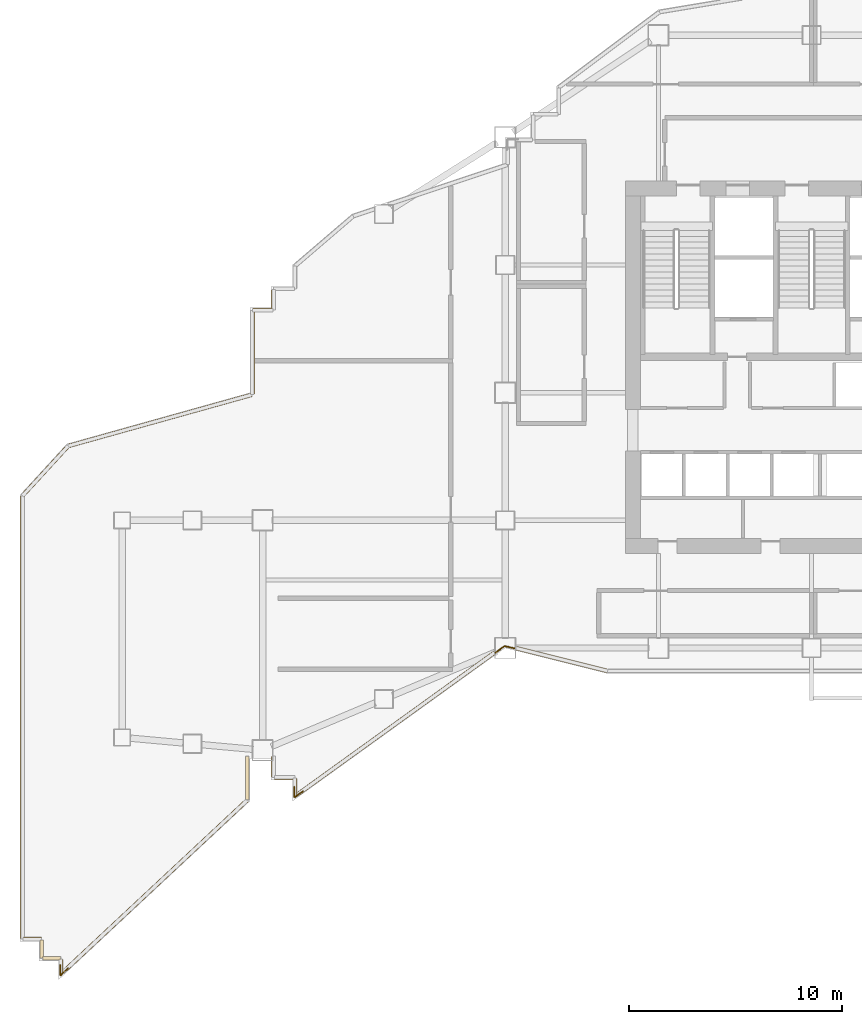
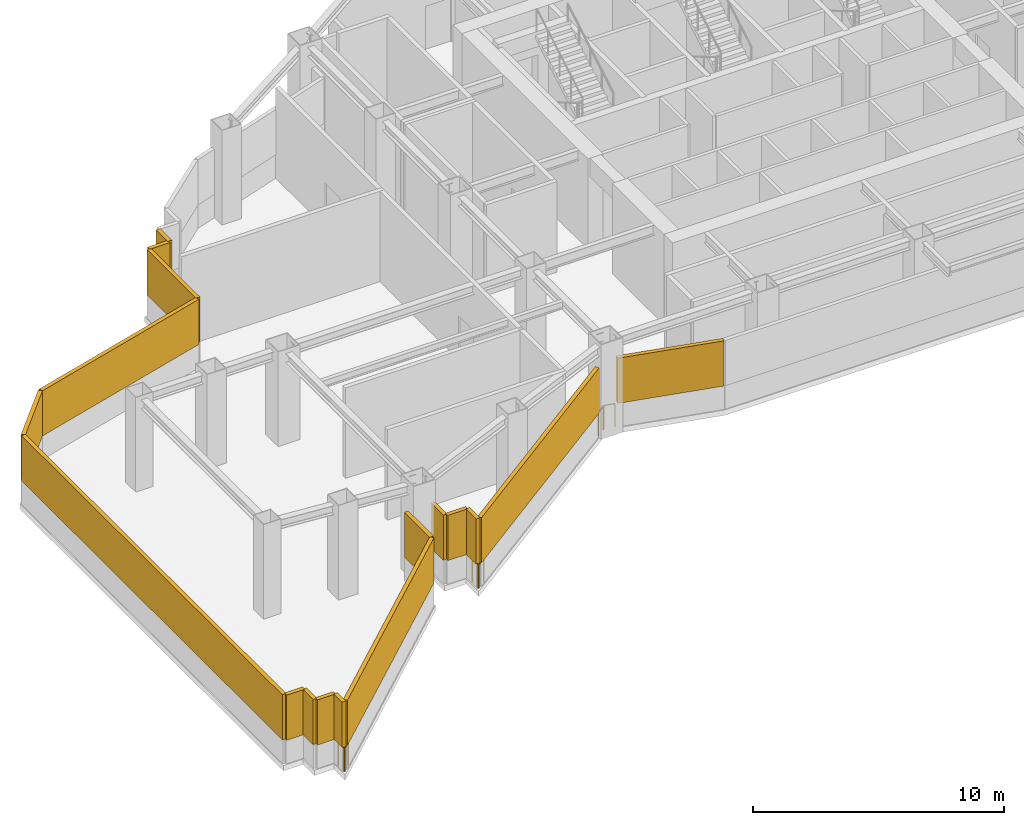
# One storey, part 6 of 12: 17 shading devices, 6 railings.
"""IFC4 building model written with IfcOpenShell, lengths in metres."""

from ifc_helpers import new_model, si_unit, direction, frame, origin, origin_2d, place, context, subcontext, project, spatial, rectangle, circle, extrude, material, type_object, element, save


model = new_model("IFC4")

# Units and contexts
model_context = context("Model", 3, precision=1e-05, world=origin(), true_north=direction((0.0, 1.0)))
body_context = subcontext(model_context, "Body", "Model", "MODEL_VIEW")
ifc_project = project(units=[si_unit("LENGTHUNIT", "METRE"), si_unit("AREAUNIT", "SQUARE_METRE"), si_unit("VOLUMEUNIT", "CUBIC_METRE"), si_unit("PLANEANGLEUNIT", "RADIAN"), si_unit("MASSUNIT", "GRAM", prefix="KILO")], contexts=[model_context])

# Site, building, storey
site_placement = place(None, origin())
site = spatial("IfcSite", under=ifc_project, at=site_placement, CompositionType="ELEMENT")
building_placement = place(site_placement, origin())
building = spatial("IfcBuilding", under=site, at=building_placement, Name="Haolan Belvedere Tower", CompositionType="ELEMENT")
storey_placement = place(building_placement, frame((0.0, 0.0, 136.39990234375)))
storey = spatial("IfcBuildingStorey", under=building, at=storey_placement, Name="L34", CompositionType="ELEMENT", Elevation=136.39990234375)

# Railings
ifc_material_1 = material(Name="Galvanised powder-coated steel guardrail", Category="steel")
railing_type = type_object("IfcRailingType", Name="RL-REF-GRD-1150", PredefinedType="GUARDRAIL", material=ifc_material_1)
railing_1_placement = place(storey_placement, frame((14.495849609375, 14.867919921875, 0.0)))
element("IfcRailing", 1, at=railing_1_placement, inside=storey, type_object=railing_type, Name="L34 refuge corner safety guardrail 1A", PredefinedType="GUARDRAIL", context=body_context, shape_type="SweptSolid", body=[
    extrude(circle(Radius=0.02392578125, at=origin_2d()), frame((0.0, 0.0, 1.1259765625), z_axis=(-0.811622975054, -0.584181603925, 0.0), x_axis=(0.584181603925, -0.811622975054, 0.0)), (0.0, 0.0, 1.0), 0.47021484375),
    extrude(circle(Radius=0.02099609375, at=origin_2d()), origin(), (0.0, 0.0, 1.0), 1.101806640625),
    extrude(circle(Radius=0.02099609375, at=origin_2d()), frame((-0.381591796875, -0.274658203125, 0.0)), (0.0, 0.0, 1.0), 1.101806640625),
])
railing_2_placement = place(storey_placement, frame((14.090087890625, 14.605712890625, 0.0)))
element("IfcRailing", 2, at=railing_2_placement, inside=storey, type_object=railing_type, Name="L34 refuge corner safety guardrail 1B", PredefinedType="GUARDRAIL", context=body_context, shape_type="SweptSolid", body=[
    extrude(circle(Radius=0.02392578125, at=origin_2d()), frame((0.0, 0.0, 1.1259765625), z_axis=(0.0, 1.0, 0.0), x_axis=(-1.0, 0.0, 0.0)), (0.0, 0.0, 1.0), 0.469970703125),
    extrude(circle(Radius=0.02099609375, at=origin_2d()), origin(), (0.0, 0.0, 1.0), 1.101806640625),
    extrude(circle(Radius=0.02099609375, at=origin_2d()), frame((0.0, 0.469970703125, 0.0)), (0.0, 0.0, 1.0), 1.101806640625),
])
railing_3_placement = place(storey_placement, frame((24.42578125, 21.586181640625, 0.0)))
element("IfcRailing", 3, at=railing_3_placement, inside=storey, type_object=railing_type, Name="L34 refuge corner safety guardrail 2A", PredefinedType="GUARDRAIL", context=body_context, shape_type="SweptSolid", body=[
    extrude(circle(Radius=0.02392578125, at=origin_2d()), frame((0.0, 0.0, 1.1259765625), z_axis=(-0.974532291101, 0.224247215372, 0.0), x_axis=(-0.224247215372, -0.974532291101, 0.0)), (0.0, 0.0, 1.0), 0.466064453125),
    extrude(circle(Radius=0.02099609375, at=origin_2d()), origin(), (0.0, 0.0, 1.0), 1.101806640625),
    extrude(circle(Radius=0.02099609375, at=origin_2d()), frame((-0.4541015625, 0.1044921875, 0.0)), (0.0, 0.0, 1.0), 1.101806640625),
])
railing_4_placement = place(storey_placement, frame((23.923095703125, 21.655517578125, 0.0)))
element("IfcRailing", 4, at=railing_4_placement, inside=storey, type_object=railing_type, Name="L34 refuge corner safety guardrail 2B", PredefinedType="GUARDRAIL", context=body_context, shape_type="SweptSolid", body=[
    extrude(circle(Radius=0.02392578125, at=origin_2d()), frame((0.0, 0.0, 1.1259765625), z_axis=(-0.811622975054, -0.584181603925, 0.0), x_axis=(0.584181603925, -0.811622975054, 0.0)), (0.0, 0.0, 1.0), 0.47021484375),
    extrude(circle(Radius=0.02099609375, at=origin_2d()), origin(), (0.0, 0.0, 1.0), 1.101806640625),
    extrude(circle(Radius=0.02099609375, at=origin_2d()), frame((-0.381591796875, -0.274658203125, 0.0)), (0.0, 0.0, 1.0), 1.101806640625),
])
railing_5_placement = place(storey_placement, frame((3.45556640625, 6.54833984375, 0.0)))
element("IfcRailing", 5, at=railing_5_placement, inside=storey, type_object=railing_type, Name="L34 refuge corner safety guardrail 8A", PredefinedType="GUARDRAIL", context=body_context, shape_type="SweptSolid", body=[
    extrude(circle(Radius=0.02392578125, at=origin_2d()), frame((0.0, 0.0, 1.1259765625), z_axis=(-0.731089801078, -0.682281249017, 0.0), x_axis=(0.682281249017, -0.731089801078, 0.0)), (0.0, 0.0, 1.0), 0.47021484375),
    extrude(circle(Radius=0.02099609375, at=origin_2d()), origin(), (0.0, 0.0, 1.0), 1.101806640625),
    extrude(circle(Radius=0.02099609375, at=origin_2d()), frame((-0.34375, -0.32080078125, 0.0)), (0.0, 0.0, 1.0), 1.101806640625),
])
railing_6_placement = place(storey_placement, frame((3.090087890625, 6.237060546875, 0.0)))
element("IfcRailing", 6, at=railing_6_placement, inside=storey, type_object=railing_type, Name="L34 refuge corner safety guardrail 8B", PredefinedType="GUARDRAIL", context=body_context, shape_type="SweptSolid", body=[
    extrude(circle(Radius=0.02392578125, at=origin_2d()), frame((0.0, 0.0, 1.1259765625), z_axis=(0.0, 1.0, 0.0), x_axis=(-1.0, 0.0, 0.0)), (0.0, 0.0, 1.0), 0.469970703125),
    extrude(circle(Radius=0.02099609375, at=origin_2d()), origin(), (0.0, 0.0, 1.0), 1.101806640625),
    extrude(circle(Radius=0.02099609375, at=origin_2d()), frame((0.0, 0.469970703125, 0.0)), (0.0, 0.0, 1.0), 1.101806640625),
])

# Shading devices
ifc_material_2 = material(Name="Anodised champagne-silver aluminium 6063-T6", Category="aluminium")
shading_device_type = type_object("IfcShadingDeviceType", Name="SHD-LOUV-180", PredefinedType="JALOUSIE", material=ifc_material_2)
shading_device_1_placement = place(storey_placement, frame((13.1201171875, 16.02001953125, 1.14990234375), z_axis=(0.0, 0.0, 1.0), x_axis=(0.0, -1.0, 0.0)))
element("IfcShadingDevice", 7, at=shading_device_1_placement, inside=storey, type_object=shading_device_type, Name="L34 refuge storm-proof louvre bank 2.1", PredefinedType="JALOUSIE", context=body_context, shape_type="SweptSolid", body=[
    extrude(rectangle(XDim=0.9599609375, YDim=0.179931640625, at=origin_2d()), origin(), (0.0, 0.0, 1.0), 2.199951171875),
])
shading_device_2_placement = place(storey_placement, frame((13.635009765625, 15.52001953125, 1.14990234375), z_axis=(0.0, 0.0, 1.0), x_axis=(1.0, 0.0, 0.0)))
element("IfcShadingDevice", 8, at=shading_device_2_placement, inside=storey, type_object=shading_device_type, Name="L34 refuge storm-proof louvre bank 3.1", PredefinedType="JALOUSIE", context=body_context, shape_type="SweptSolid", body=[
    extrude(rectangle(XDim=0.929931640625, YDim=0.179931640625, at=origin_2d()), origin(), (0.0, 0.0, 1.0), 2.199951171875),
])
shading_device_3_placement = place(storey_placement, frame((14.1201171875, 15.06201171875, 1.14990234375), z_axis=(0.0, 0.0, 1.0), x_axis=(0.0, -1.0, 0.0)))
element("IfcShadingDevice", 9, at=shading_device_3_placement, inside=storey, type_object=shading_device_type, Name="L34 refuge storm-proof louvre bank 4.1", PredefinedType="JALOUSIE", context=body_context, shape_type="SweptSolid", body=[
    extrude(rectangle(XDim=0.815673828125, YDim=0.179931640625, at=origin_2d()), origin(), (0.0, 0.0, 1.0), 2.199951171875),
])
shading_device_4_placement = place(storey_placement, frame((18.8505859375, 18.040283203125, 1.14990234375), z_axis=(0.0, 0.0, 1.0), x_axis=(0.811543389612, 0.584292158751, 0.0)))
element("IfcShadingDevice", 10, at=shading_device_4_placement, inside=storey, type_object=shading_device_type, Name="L34 refuge storm-proof louvre bank 5.1", PredefinedType="JALOUSIE", context=body_context, shape_type="SweptSolid", body=[
    extrude(rectangle(XDim=11.438232421875, YDim=0.179931640625, at=origin_2d()), origin(), (0.0, 0.0, 1.0), 2.199951171875),
])
shading_device_5_placement = place(storey_placement, frame((26.6533203125, 21.060302734375, 1.14990234375), z_axis=(0.0, 0.0, 1.0), x_axis=(0.970143530747, -0.242531502591, 0.0)))
element("IfcShadingDevice", 11, at=shading_device_5_placement, inside=storey, type_object=shading_device_type, Name="L34 refuge storm-proof louvre bank 6.1", PredefinedType="JALOUSIE", context=body_context, shape_type="SweptSolid", body=[
    extrude(rectangle(XDim=4.415771484375, YDim=0.179931640625, at=origin_2d()), origin(), (0.0, 0.0, 1.0), 2.199951171875),
])
for number, where, z_axis, x_axis, name in (
    (12, (13.1201171875, 37.965087890625, 1.14990234375), (0.0, 0.0, 1.0), (0.0, -1.0, 0.0), "L34 refuge storm-proof louvre bank 39.1"),
    (13, (12.60498046875, 37.47998046875, 1.14990234375), (0.0, 0.0, 1.0), (-1.0, 0.0, 0.0), "L34 refuge storm-proof louvre bank 40.1"),
):
    element("IfcShadingDevice", number, at=place(storey_placement, frame(where, z_axis=z_axis, x_axis=x_axis)), inside=storey, type_object=shading_device_type, Name=name, PredefinedType="JALOUSIE", context=body_context, shape_type="SweptSolid", body=[
        extrude(rectangle(XDim=0.929931640625, YDim=0.179931640625, at=origin_2d()), origin(), (0.0, 0.0, 1.0), 2.199951171875),
    ])
shading_device_6_placement = place(storey_placement, frame((12.1201171875, 35.4794921875, 1.14990234375), z_axis=(0.0, 0.0, 1.0), x_axis=(0.0, -1.0, 0.0)))
element("IfcShadingDevice", 14, at=shading_device_6_placement, inside=storey, type_object=shading_device_type, Name="L34 refuge storm-proof louvre bank 41.1", PredefinedType="JALOUSIE", context=body_context, shape_type="SweptSolid", body=[
    extrude(rectangle(XDim=3.901123046875, YDim=0.179931640625, at=origin_2d()), origin(), (0.0, 0.0, 1.0), 2.199951171875),
])
shading_device_7_placement = place(storey_placement, frame((7.7783203125, 32.297119140625, 1.14990234375), z_axis=(0.0, 0.0, 1.0), x_axis=(-0.963195414363, -0.268802146102, 0.0)))
element("IfcShadingDevice", 15, at=shading_device_7_placement, inside=storey, type_object=shading_device_type, Name="L34 refuge storm-proof louvre bank 42.1", PredefinedType="JALOUSIE", context=body_context, shape_type="SweptSolid", body=[
    extrude(rectangle(XDim=8.915283203125, YDim=0.179931640625, at=origin_2d()), origin(), (0.0, 0.0, 1.0), 2.199951171875),
])
shading_device_8_placement = place(storey_placement, frame((2.392578125, 29.92333984375, 1.14990234375), z_axis=(0.0, 0.0, 1.0), x_axis=(-0.675731742251, -0.737147619215, 0.0)))
element("IfcShadingDevice", 16, at=shading_device_8_placement, inside=storey, type_object=shading_device_type, Name="L34 refuge storm-proof louvre bank 43.1", PredefinedType="JALOUSIE", context=body_context, shape_type="SweptSolid", body=[
    extrude(rectangle(XDim=3.134765625, YDim=0.179931640625, at=origin_2d()), origin(), (0.0, 0.0, 1.0), 2.199951171875),
])
shading_device_9_placement = place(storey_placement, frame((1.320068359375, 18.336669921875, 1.14990234375), z_axis=(0.0, 0.0, 1.0), x_axis=(0.0, -1.0, 0.0)))
element("IfcShadingDevice", 17, at=shading_device_9_placement, inside=storey, type_object=shading_device_type, Name="L34 refuge storm-proof louvre bank 44.1", PredefinedType="JALOUSIE", context=body_context, shape_type="SweptSolid", body=[
    extrude(rectangle(XDim=20.793212890625, YDim=0.179931640625, at=origin_2d()), origin(), (0.0, 0.0, 1.0), 2.199951171875),
])
for number, where, z_axis, x_axis, name in (
    (18, (1.784912109375, 7.919921875, 1.14990234375), (0.0, 0.0, 1.0), (1.0, 0.0, 0.0), "L34 refuge storm-proof louvre bank 45.1"),
    (19, (2.219970703125, 7.455078125, 1.14990234375), (0.0, 0.0, 1.0), (0.0, -1.0, 0.0), "L34 refuge storm-proof louvre bank 46.1"),
    (20, (2.68505859375, 7.02001953125, 1.14990234375), (0.0, 0.0, 1.0), (1.0, 0.0, 0.0), "L34 refuge storm-proof louvre bank 47.1"),
):
    element("IfcShadingDevice", number, at=place(storey_placement, frame(where, z_axis=z_axis, x_axis=x_axis)), inside=storey, type_object=shading_device_type, Name=name, PredefinedType="JALOUSIE", context=body_context, shape_type="SweptSolid", body=[
        extrude(rectangle(XDim=0.830078125, YDim=0.179931640625, at=origin_2d()), origin(), (0.0, 0.0, 1.0), 2.199951171875),
    ])
shading_device_10_placement = place(storey_placement, frame((3.1201171875, 6.633056640625, 1.14990234375), z_axis=(0.0, 0.0, 1.0), x_axis=(0.0, -1.0, 0.0)))
element("IfcShadingDevice", 21, at=shading_device_10_placement, inside=storey, type_object=shading_device_type, Name="L34 refuge storm-proof louvre bank 48.1", PredefinedType="JALOUSIE", context=body_context, shape_type="SweptSolid", body=[
    extrude(rectangle(XDim=0.673828125, YDim=0.179931640625, at=origin_2d()), origin(), (0.0, 0.0, 1.0), 2.199951171875),
])
shading_device_11_placement = place(storey_placement, frame((7.5439453125, 10.405029296875, 1.14990234375), z_axis=(0.0, 0.0, 1.0), x_axis=(0.731056054087, 0.682317408383, 0.0)))
element("IfcShadingDevice", 22, at=shading_device_11_placement, inside=storey, type_object=shading_device_type, Name="L34 refuge storm-proof louvre bank 49.1", PredefinedType="JALOUSIE", context=body_context, shape_type="SweptSolid", body=[
    extrude(rectangle(XDim=11.82275390625, YDim=0.179931640625, at=origin_2d()), origin(), (0.0, 0.0, 1.0), 2.199951171875),
])
shading_device_12_placement = place(storey_placement, frame((11.8798828125, 15.486083984375, 1.14990234375), z_axis=(0.0, 0.0, 1.0), x_axis=(0.0, 1.0, 0.0)))
element("IfcShadingDevice", 23, at=shading_device_12_placement, inside=storey, type_object=shading_device_type, Name="L34 refuge storm-proof louvre bank 50.1", PredefinedType="JALOUSIE", context=body_context, shape_type="SweptSolid", body=[
    extrude(rectangle(XDim=2.02783203125, YDim=0.179931640625, at=origin_2d()), origin(), (0.0, 0.0, 1.0), 2.199951171875),
])

save(model, "model.ifc")
